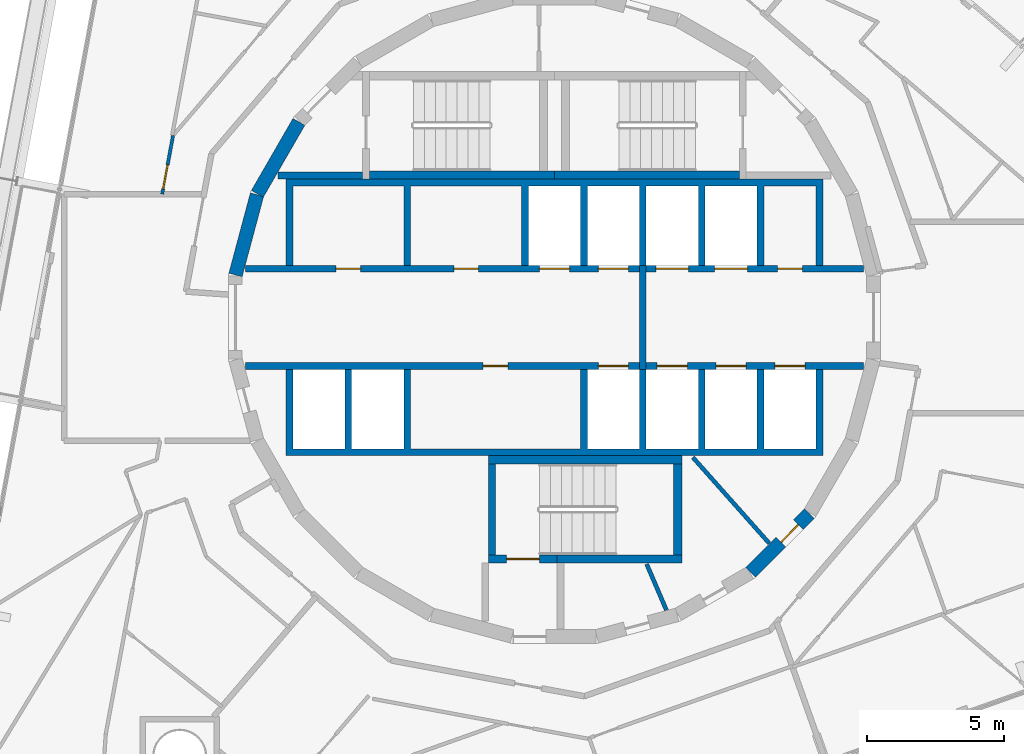
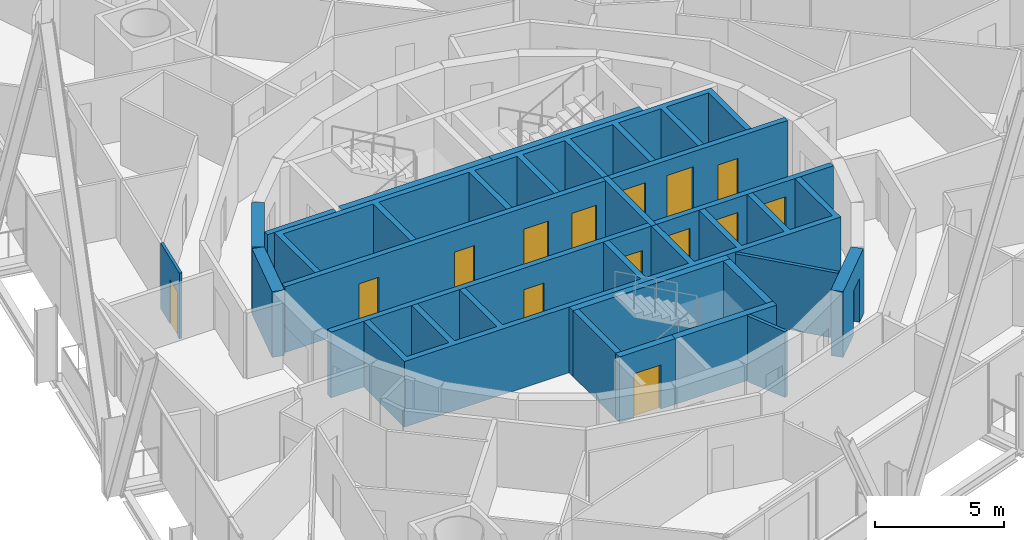
# One storey, part 12 of 17: 21 walls, 15 doors, 15 openings.
"""IFC4 building model written with IfcOpenShell, lengths in metres."""

from ifc_helpers import new_model, si_unit, direction, frame, frame_2d, origin, place, context, subcontext, project, spatial, polyline, rectangle, outline, extrude, material, layer, layer_set, type_object, element, fill, save


model = new_model("IFC4")

# Units and contexts
model_context = context("Model", 3, precision=1e-05, world=origin(), true_north=direction((0.0, 1.0)))
body_context = subcontext(model_context, "Body", "Model", "MODEL_VIEW")
ifc_project = project(units=[si_unit("LENGTHUNIT", "METRE"), si_unit("AREAUNIT", "SQUARE_METRE"), si_unit("VOLUMEUNIT", "CUBIC_METRE"), si_unit("PLANEANGLEUNIT", "RADIAN"), si_unit("MASSUNIT", "GRAM", prefix="KILO")], contexts=[model_context])

# Site, building, storey
site_placement = place(None, origin())
site = spatial("IfcSite", under=ifc_project, at=site_placement, CompositionType="ELEMENT")
building_placement = place(site_placement, origin())
building = spatial("IfcBuilding", under=site, at=building_placement, Name="Spindle Arch Residences", CompositionType="ELEMENT")
storey_placement = place(building_placement, frame((0.0, 0.0, 165.699951171875)))
storey = spatial("IfcBuildingStorey", under=building, at=storey_placement, Name="L41", CompositionType="ELEMENT", Elevation=165.699951171875)

# Wall, opening, door
ifc_material_1 = material(Name="Concrete C50/60", Category="concrete")
ifc_layer_1 = layer(ifc_material_1, 0.5)
ifc_layer_set_1 = layer_set([ifc_layer_1], Name="Core outline wall 500")
wall_type_1 = type_object("IfcWallType", Name="Core outline wall 500", PredefinedType="SHEAR", material=ifc_layer_set_1)
wall_1_placement = place(storey_placement, frame((7.163818359375, -9.30810546875, 0.0), z_axis=(0.0, 0.0, 1.0), x_axis=(0.707106781187, 0.707106781187, 0.0)))
wall_1 = element("IfcWall", 1, at=wall_1_placement, inside=storey, type_object=wall_type_1, Name="Core outline wall 3", PredefinedType="SHEAR", context=body_context, shape_type="SweptSolid", body=[
    extrude(rectangle(XDim=3.032470703125, YDim=0.5, at=frame_2d((1.51611328125, 0.0))), origin(), (0.0, 0.0, 1.0), 3.1201171875),
])
opening_1_placement = place(wall_1_placement, frame((1.56640625, 0.0, 0.0)))
opening_1 = element("IfcOpeningElement", 2, at=opening_1_placement, cuts=wall_1, Name="Opening R4B0-WD06", PredefinedType="OPENING", context=body_context, shape_type="SweptSolid", body=[
    extrude(rectangle(XDim=0.89990234375, YDim=2.10009765625, at=frame_2d((0.449951171875, 1.050048828125))), frame((0.0, 0.260009765625, 0.0), z_axis=(0.0, -1.0, 0.0), x_axis=(1.0, 0.0, 0.0)), (0.0, 0.0, 1.0), 0.52001953125),
])
ifc_material_2 = material(Name="Steel, fire-resisting door", Category="steel")
door_type_1 = type_object("IfcDoorType", Name="Service room door 900x2100", OperationType="SINGLE_SWING_LEFT", PredefinedType="DOOR", material=ifc_material_2)
door_1_placement = place(opening_1_placement, origin())
door_1 = element("IfcDoor", 3, at=door_1_placement, inside=storey, type_object=door_type_1, Name="Service room door R4B0-WD06", OperationType="SINGLE_SWING_RIGHT", OverallHeight=2.10009765625, OverallWidth=0.89990234375, PredefinedType="DOOR", context=body_context, shape_type="SweptSolid", body=[
    extrude(rectangle(XDim=0.89990234375, YDim=2.10009765625, at=frame_2d((0.449951171875, 1.050048828125))), frame((0.0, 0.02490234375, 0.0), z_axis=(0.0, -1.0, 0.0), x_axis=(1.0, 0.0, 0.0)), (0.0, 0.0, 1.0), 0.050048828125),
])
fill(opening_1, door_1)

# Walls
for number, where, z_axis, x_axis, name in (
    (4, (-9.32861328125, 7.13671875, 0.0), (0.0, 0.0, 1.0), (-0.500087131594, -0.865975092491, 0.0), "Core outline wall 16"),
    (5, (-10.858154296875, 4.479248046875, 0.0), (0.0, 0.0, 1.0), (-0.258734743916, -0.965948410781, 0.0), "Core outline wall 17"),
):
    element("IfcWall", number, at=place(storey_placement, frame(where, z_axis=z_axis, x_axis=x_axis)), inside=storey, type_object=wall_type_1, Name=name, PredefinedType="SHEAR", context=body_context, shape_type="SweptSolid", body=[
        extrude(rectangle(XDim=3.03271484375, YDim=0.5, at=frame_2d((1.516357421875, 0.0))), origin(), (0.0, 0.0, 1.0), 3.1201171875),
    ])

# Wall, openings, doors
ifc_material_3 = material(Name="Concrete C40/50", Category="concrete")
ifc_layer_2 = layer(ifc_material_3, 0.25)
ifc_layer_set_2 = layer_set([ifc_layer_2], Name="Fire-lift lobby wall 250")
wall_type_2 = type_object("IfcWallType", Name="Fire-lift lobby wall 250", PredefinedType="SHEAR", material=ifc_layer_set_2)
wall_2_placement = place(storey_placement, frame((3.35009765625, 1.77490234375, 0.0), z_axis=(0.0, 0.0, 1.0), x_axis=(1.0, 0.0, 0.0)))
wall_2 = element("IfcWall", 6, at=wall_2_placement, inside=storey, type_object=wall_type_2, Name="Lift shaft front wall NE", PredefinedType="SHEAR", context=body_context, shape_type="SweptSolid", body=[
    extrude(rectangle(XDim=7.929931640625, YDim=0.25, at=frame_2d((3.96484375, 0.0))), origin(), (0.0, 0.0, 1.0), 3.1201171875),
])
opening_2_placement = place(wall_2_placement, frame((0.35009765625, 0.0, 0.0)))
opening_2 = element("IfcOpeningElement", 7, at=opening_2_placement, cuts=wall_2, Name="Opening R4B0-SLD01", PredefinedType="OPENING", context=body_context, shape_type="SweptSolid", body=[
    extrude(rectangle(XDim=1.199951171875, YDim=2.39990234375, at=frame_2d((0.60009765625, 1.199951171875))), frame((0.0, 0.135009765625, 0.0), z_axis=(0.0, -1.0, 0.0), x_axis=(1.0, 0.0, 0.0)), (0.0, 0.0, 1.0), 0.27001953125),
])
opening_3_placement = place(wall_2_placement, frame((2.5, 0.0, 0.0)))
opening_3 = element("IfcOpeningElement", 8, at=opening_3_placement, cuts=wall_2, Name="Opening R4B0-SLD02", PredefinedType="OPENING", context=body_context, shape_type="SweptSolid", body=[
    extrude(rectangle(XDim=1.199951171875, YDim=2.39990234375, at=frame_2d((0.60009765625, 1.199951171875))), frame((0.0, 0.135009765625, 0.0), z_axis=(0.0, -1.0, 0.0), x_axis=(1.0, 0.0, 0.0)), (0.0, 0.0, 1.0), 0.27001953125),
])
opening_4_placement = place(wall_2_placement, frame((4.800048828125, 0.0, 0.0)))
opening_4 = element("IfcOpeningElement", 9, at=opening_4_placement, cuts=wall_2, Name="Opening R4B0-WD03", PredefinedType="OPENING", context=body_context, shape_type="SweptSolid", body=[
    extrude(rectangle(XDim=0.89990234375, YDim=2.10009765625, at=frame_2d((0.449951171875, 1.050048828125))), frame((0.0, 0.135009765625, 0.0), z_axis=(0.0, -1.0, 0.0), x_axis=(1.0, 0.0, 0.0)), (0.0, 0.0, 1.0), 0.27001953125),
])
ifc_material_4 = material(Name="Steel, fire-resisting landing door", Category="steel")
door_type_2 = type_object("IfcDoorType", Name="Service lift landing door 1200x2400", OperationType="DOUBLE_DOOR_SLIDING", PredefinedType="DOOR", material=ifc_material_4)
door_2_placement = place(opening_2_placement, origin())
door_2 = element("IfcDoor", 10, at=door_2_placement, inside=storey, type_object=door_type_2, Name="Service lift landing door R4B0-SLD01", OperationType="DOUBLE_DOOR_SLIDING", OverallHeight=2.39990234375, OverallWidth=1.199951171875, PredefinedType="DOOR", context=body_context, shape_type="SweptSolid", body=[
    extrude(rectangle(XDim=1.199951171875, YDim=2.39990234375, at=frame_2d((0.60009765625, 1.199951171875))), frame((0.0, 0.02490234375, 0.0), z_axis=(0.0, -1.0, 0.0), x_axis=(1.0, 0.0, 0.0)), (0.0, 0.0, 1.0), 0.050048828125),
])
fill(opening_2, door_2)
door_3_placement = place(opening_3_placement, origin())
door_3 = element("IfcDoor", 11, at=door_3_placement, inside=storey, type_object=door_type_2, Name="Service lift landing door R4B0-SLD02", OperationType="DOUBLE_DOOR_SLIDING", OverallHeight=2.39990234375, OverallWidth=1.199951171875, PredefinedType="DOOR", context=body_context, shape_type="SweptSolid", body=[
    extrude(rectangle(XDim=1.199951171875, YDim=2.39990234375, at=frame_2d((0.60009765625, 1.199951171875))), frame((0.0, 0.02490234375, 0.0), z_axis=(0.0, -1.0, 0.0), x_axis=(1.0, 0.0, 0.0)), (0.0, 0.0, 1.0), 0.050048828125),
])
fill(opening_3, door_3)
door_4_placement = place(opening_4_placement, origin())
door_4 = element("IfcDoor", 12, at=door_4_placement, inside=storey, type_object=door_type_1, Name="Service room door R4B0-WD03", OperationType="SINGLE_SWING_LEFT", OverallHeight=2.10009765625, OverallWidth=0.89990234375, PredefinedType="DOOR", context=body_context, shape_type="SweptSolid", body=[
    extrude(rectangle(XDim=0.89990234375, YDim=2.10009765625, at=frame_2d((0.449951171875, 1.050048828125))), frame((0.0, 0.02490234375, 0.0), z_axis=(0.0, -1.0, 0.0), x_axis=(1.0, 0.0, 0.0)), (0.0, 0.0, 1.0), 0.050048828125),
])
fill(opening_4, door_4)

# Wall
wall_3_placement = place(storey_placement, frame((3.22509765625, -1.89990234375, 0.0), z_axis=(0.0, 0.0, 1.0), x_axis=(0.0, 1.0, 0.0)))
element("IfcWall", 13, at=wall_3_placement, inside=storey, type_object=wall_type_2, Name="Fire-fighting lobby partition", PredefinedType="SHEAR", context=body_context, shape_type="SweptSolid", body=[
    extrude(rectangle(XDim=3.7998046875, YDim=0.25, at=frame_2d((1.89990234375, 0.0))), origin(), (0.0, 0.0, 1.0), 3.1201171875),
])

# Wall, openings, doors
ifc_material_5 = material(Name="Concrete C50/60", Category="concrete")
ifc_layer_3 = layer(ifc_material_5, 0.25)
ifc_layer_set_3 = layer_set([ifc_layer_3], Name="Fire-lift shaft wall 250")
wall_type_3 = type_object("IfcWallType", Name="Fire-lift shaft wall 250", PredefinedType="SHEAR", material=ifc_layer_set_3)
wall_4_placement = place(storey_placement, frame((3.35009765625, -1.77490234375, 0.0), z_axis=(0.0, 0.0, 1.0), x_axis=(1.0, 0.0, 0.0)))
wall_4 = element("IfcWall", 14, at=wall_4_placement, inside=storey, type_object=wall_type_3, Name="Lift shaft front wall SE", PredefinedType="SHEAR", context=body_context, shape_type="SweptSolid", body=[
    extrude(rectangle(XDim=7.929931640625, YDim=0.25, at=frame_2d((3.96484375, 0.0))), origin(), (0.0, 0.0, 1.0), 3.1201171875),
])
opening_5_placement = place(wall_4_placement, frame((0.39990234375, 0.0, 0.0)))
opening_5 = element("IfcOpeningElement", 15, at=opening_5_placement, cuts=wall_4, Name="Opening R4B0-FLD01", PredefinedType="OPENING", context=body_context, shape_type="SweptSolid", body=[
    extrude(rectangle(XDim=1.10009765625, YDim=2.39990234375, at=frame_2d((0.550048828125, 1.199951171875))), frame((0.0, 0.135009765625, 0.0), z_axis=(0.0, -1.0, 0.0), x_axis=(1.0, 0.0, 0.0)), (0.0, 0.0, 1.0), 0.27001953125),
])
opening_6_placement = place(wall_4_placement, frame((2.550048828125, 0.0, 0.0)))
opening_6 = element("IfcOpeningElement", 16, at=opening_6_placement, cuts=wall_4, Name="Opening R4B0-FLD02", PredefinedType="OPENING", context=body_context, shape_type="SweptSolid", body=[
    extrude(rectangle(XDim=1.10009765625, YDim=2.39990234375, at=frame_2d((0.550048828125, 1.199951171875))), frame((0.0, 0.135009765625, 0.0), z_axis=(0.0, -1.0, 0.0), x_axis=(1.0, 0.0, 0.0)), (0.0, 0.0, 1.0), 0.27001953125),
])
opening_7_placement = place(wall_4_placement, frame((4.699951171875, 0.0, 0.0)))
opening_7 = element("IfcOpeningElement", 17, at=opening_7_placement, cuts=wall_4, Name="Opening R4B0-FLD03", PredefinedType="OPENING", context=body_context, shape_type="SweptSolid", body=[
    extrude(rectangle(XDim=1.10009765625, YDim=2.39990234375, at=frame_2d((0.550048828125, 1.199951171875))), frame((0.0, 0.135009765625, 0.0), z_axis=(0.0, -1.0, 0.0), x_axis=(1.0, 0.0, 0.0)), (0.0, 0.0, 1.0), 0.27001953125),
])
ifc_material_6 = material(Name="Steel, fire-resisting landing door", Category="steel")
door_type_3 = type_object("IfcDoorType", Name="Fire-fighting lift landing door 1100x2400", OperationType="DOUBLE_DOOR_SLIDING", PredefinedType="DOOR", material=ifc_material_6)
door_5_placement = place(opening_5_placement, origin())
door_5 = element("IfcDoor", 18, at=door_5_placement, inside=storey, type_object=door_type_3, Name="Fire-fighting lift landing door R4B0-FLD01", OperationType="DOUBLE_DOOR_SLIDING", OverallHeight=2.39990234375, OverallWidth=1.10009765625, PredefinedType="DOOR", context=body_context, shape_type="SweptSolid", body=[
    extrude(rectangle(XDim=1.10009765625, YDim=2.39990234375, at=frame_2d((0.550048828125, 1.199951171875))), frame((0.0, 0.02490234375, 0.0), z_axis=(0.0, -1.0, 0.0), x_axis=(1.0, 0.0, 0.0)), (0.0, 0.0, 1.0), 0.050048828125),
])
fill(opening_5, door_5)
door_6_placement = place(opening_6_placement, origin())
door_6 = element("IfcDoor", 19, at=door_6_placement, inside=storey, type_object=door_type_3, Name="Fire-fighting lift landing door R4B0-FLD02", OperationType="DOUBLE_DOOR_SLIDING", OverallHeight=2.39990234375, OverallWidth=1.10009765625, PredefinedType="DOOR", context=body_context, shape_type="SweptSolid", body=[
    extrude(rectangle(XDim=1.10009765625, YDim=2.39990234375, at=frame_2d((0.550048828125, 1.199951171875))), frame((0.0, 0.02490234375, 0.0), z_axis=(0.0, -1.0, 0.0), x_axis=(1.0, 0.0, 0.0)), (0.0, 0.0, 1.0), 0.050048828125),
])
fill(opening_6, door_6)
door_7_placement = place(opening_7_placement, origin())
door_7 = element("IfcDoor", 20, at=door_7_placement, inside=storey, type_object=door_type_3, Name="Fire-fighting lift landing door R4B0-FLD03", OperationType="DOUBLE_DOOR_SLIDING", OverallHeight=2.39990234375, OverallWidth=1.10009765625, PredefinedType="DOOR", context=body_context, shape_type="SweptSolid", body=[
    extrude(rectangle(XDim=1.10009765625, YDim=2.39990234375, at=frame_2d((0.550048828125, 1.199951171875))), frame((0.0, 0.02490234375, 0.0), z_axis=(0.0, -1.0, 0.0), x_axis=(1.0, 0.0, 0.0)), (0.0, 0.0, 1.0), 0.050048828125),
])
fill(opening_7, door_7)

# Wall, opening, door
ifc_material_7 = material(Name="Plasterboard on steel studs", Category="steel")
ifc_layer_4 = layer(ifc_material_7, 0.1201171875)
ifc_layer_set_4 = layer_set([ifc_layer_4], Name="Flat partition 120")
wall_type_4 = type_object("IfcWallType", Name="Flat partition 120", PredefinedType="PARTITIONING", material=ifc_layer_set_4)
wall_5_placement = place(storey_placement, frame((-13.9228515625, 6.640869140625, 0.0), z_axis=(0.0, 0.0, 1.0), x_axis=(-0.182209715759, -0.983259690765, 0.0)))
wall_5 = element("IfcWall", 21, at=wall_5_placement, inside=storey, type_object=wall_type_4, Name="Flat partition R4B0-W072", PredefinedType="PARTITIONING", context=body_context, shape_type="SweptSolid", body=[
    extrude(rectangle(XDim=2.17724609375, YDim=0.1201171875, at=frame_2d((1.088623046875, 0.0))), origin(), (0.0, 0.0, 1.0), 3.1201171875),
])
opening_8_placement = place(wall_5_placement, frame((1.08349609375, 0.0, 0.0)))
opening_8 = element("IfcOpeningElement", 22, at=opening_8_placement, cuts=wall_5, Name="Opening R4B0-ID13", PredefinedType="OPENING", context=body_context, shape_type="SweptSolid", body=[
    extrude(rectangle(XDim=0.89990234375, YDim=2.10009765625, at=frame_2d((0.449951171875, 1.050048828125))), frame((0.0, 0.070068359375, 0.0), z_axis=(0.0, -1.0, 0.0), x_axis=(1.0, 0.0, 0.0)), (0.0, 0.0, 1.0), 0.14013671875),
])
ifc_material_8 = material(Name="Timber door set", Category="wood")
door_type_4 = type_object("IfcDoorType", Name="Room door 900x2100", OperationType="NOTDEFINED", PredefinedType="DOOR", material=ifc_material_8)
door_8_placement = place(opening_8_placement, origin())
door_8 = element("IfcDoor", 23, at=door_8_placement, inside=storey, type_object=door_type_4, Name="Room door R4B0-ID13", OperationType="SINGLE_SWING_LEFT", OverallHeight=2.10009765625, OverallWidth=0.89990234375, PredefinedType="DOOR", context=body_context, shape_type="SweptSolid", body=[
    extrude(rectangle(XDim=0.89990234375, YDim=2.10009765625, at=frame_2d((0.449951171875, 1.050048828125))), frame((0.0, 0.02490234375, 0.0), z_axis=(0.0, -1.0, 0.0), x_axis=(1.0, 0.0, 0.0)), (0.0, 0.0, 1.0), 0.050048828125),
])
fill(opening_8, door_8)

# Wall, openings, doors
ifc_material_9 = material(Name="Concrete C50/60", Category="concrete")
ifc_layer_5 = layer(ifc_material_9, 0.25)
ifc_layer_set_5 = layer_set([ifc_layer_5], Name="Lift shaft wall 250")
wall_type_5 = type_object("IfcWallType", Name="Lift shaft wall 250", PredefinedType="SHEAR", material=ifc_layer_set_5)
wall_6_placement = place(storey_placement, frame((-11.280029296875, 1.77490234375, 0.0), z_axis=(0.0, 0.0, 1.0), x_axis=(1.0, 0.0, 0.0)))
wall_6 = element("IfcWall", 24, at=wall_6_placement, inside=storey, type_object=wall_type_5, Name="Lift shaft front wall NW", PredefinedType="SHEAR", context=body_context, shape_type="SweptSolid", body=[
    extrude(rectangle(XDim=14.380126953125, YDim=0.25, at=frame_2d((7.18994140625, 0.0))), origin(), (0.0, 0.0, 1.0), 3.1201171875),
])
opening_9_placement = place(wall_6_placement, frame((10.72998046875, 0.0, 0.0)))
opening_9 = element("IfcOpeningElement", 25, at=opening_9_placement, cuts=wall_6, Name="Opening R4B0-LD01", PredefinedType="OPENING", context=body_context, shape_type="SweptSolid", body=[
    extrude(rectangle(XDim=1.10009765625, YDim=2.10009765625, at=frame_2d((0.550048828125, 1.050048828125))), frame((0.0, 0.135009765625, 0.0), z_axis=(0.0, -1.0, 0.0), x_axis=(1.0, 0.0, 0.0)), (0.0, 0.0, 1.0), 0.27001953125),
])
opening_10_placement = place(wall_6_placement, frame((12.8798828125, 0.0, 0.0)))
opening_10 = element("IfcOpeningElement", 26, at=opening_10_placement, cuts=wall_6, Name="Opening R4B0-LD02", PredefinedType="OPENING", context=body_context, shape_type="SweptSolid", body=[
    extrude(rectangle(XDim=1.10009765625, YDim=2.10009765625, at=frame_2d((0.550048828125, 1.050048828125))), frame((0.0, 0.135009765625, 0.0), z_axis=(0.0, -1.0, 0.0), x_axis=(1.0, 0.0, 0.0)), (0.0, 0.0, 1.0), 0.27001953125),
])
opening_11_placement = place(wall_6_placement, frame((3.304931640625, 0.0, 0.0)))
opening_11 = element("IfcOpeningElement", 27, at=opening_11_placement, cuts=wall_6, Name="Opening R4B0-WD01", PredefinedType="OPENING", context=body_context, shape_type="SweptSolid", body=[
    extrude(rectangle(XDim=0.89990234375, YDim=2.10009765625, at=frame_2d((0.449951171875, 1.050048828125))), frame((0.0, 0.135009765625, 0.0), z_axis=(0.0, -1.0, 0.0), x_axis=(1.0, 0.0, 0.0)), (0.0, 0.0, 1.0), 0.27001953125),
])
opening_12_placement = place(wall_6_placement, frame((7.60498046875, 0.0, 0.0)))
opening_12 = element("IfcOpeningElement", 28, at=opening_12_placement, cuts=wall_6, Name="Opening R4B0-WD02", PredefinedType="OPENING", context=body_context, shape_type="SweptSolid", body=[
    extrude(rectangle(XDim=0.89990234375, YDim=2.10009765625, at=frame_2d((0.449951171875, 1.050048828125))), frame((0.0, 0.135009765625, 0.0), z_axis=(0.0, -1.0, 0.0), x_axis=(1.0, 0.0, 0.0)), (0.0, 0.0, 1.0), 0.27001953125),
])
ifc_material_10 = material(Name="Steel, fire-resisting landing door", Category="steel")
door_type_5 = type_object("IfcDoorType", Name="Lift landing door 1100x2100", OperationType="DOUBLE_DOOR_SLIDING", PredefinedType="DOOR", material=ifc_material_10)
door_9_placement = place(opening_9_placement, origin())
door_9 = element("IfcDoor", 29, at=door_9_placement, inside=storey, type_object=door_type_5, Name="Lift landing door R4B0-LD01", OperationType="DOUBLE_DOOR_SLIDING", OverallHeight=2.10009765625, OverallWidth=1.10009765625, PredefinedType="DOOR", context=body_context, shape_type="SweptSolid", body=[
    extrude(rectangle(XDim=1.10009765625, YDim=2.10009765625, at=frame_2d((0.550048828125, 1.050048828125))), frame((0.0, 0.02490234375, 0.0), z_axis=(0.0, -1.0, 0.0), x_axis=(1.0, 0.0, 0.0)), (0.0, 0.0, 1.0), 0.050048828125),
])
fill(opening_9, door_9)
door_10_placement = place(opening_10_placement, origin())
door_10 = element("IfcDoor", 30, at=door_10_placement, inside=storey, type_object=door_type_5, Name="Lift landing door R4B0-LD02", OperationType="DOUBLE_DOOR_SLIDING", OverallHeight=2.10009765625, OverallWidth=1.10009765625, PredefinedType="DOOR", context=body_context, shape_type="SweptSolid", body=[
    extrude(rectangle(XDim=1.10009765625, YDim=2.10009765625, at=frame_2d((0.550048828125, 1.050048828125))), frame((0.0, 0.02490234375, 0.0), z_axis=(0.0, -1.0, 0.0), x_axis=(1.0, 0.0, 0.0)), (0.0, 0.0, 1.0), 0.050048828125),
])
fill(opening_10, door_10)
door_11_placement = place(opening_11_placement, origin())
door_11 = element("IfcDoor", 31, at=door_11_placement, inside=storey, type_object=door_type_1, Name="Service room door R4B0-WD01", OperationType="SINGLE_SWING_LEFT", OverallHeight=2.10009765625, OverallWidth=0.89990234375, PredefinedType="DOOR", context=body_context, shape_type="SweptSolid", body=[
    extrude(rectangle(XDim=0.89990234375, YDim=2.10009765625, at=frame_2d((0.449951171875, 1.050048828125))), frame((0.0, 0.02490234375, 0.0), z_axis=(0.0, -1.0, 0.0), x_axis=(1.0, 0.0, 0.0)), (0.0, 0.0, 1.0), 0.050048828125),
])
fill(opening_11, door_11)
door_12_placement = place(opening_12_placement, origin())
door_12 = element("IfcDoor", 32, at=door_12_placement, inside=storey, type_object=door_type_1, Name="Service room door R4B0-WD02", OperationType="SINGLE_SWING_RIGHT", OverallHeight=2.10009765625, OverallWidth=0.89990234375, PredefinedType="DOOR", context=body_context, shape_type="SweptSolid", body=[
    extrude(rectangle(XDim=0.89990234375, YDim=2.10009765625, at=frame_2d((0.449951171875, 1.050048828125))), frame((0.0, 0.02490234375, 0.0), z_axis=(0.0, -1.0, 0.0), x_axis=(1.0, 0.0, 0.0)), (0.0, 0.0, 1.0), 0.050048828125),
])
fill(opening_12, door_12)

wall_7_placement = place(storey_placement, frame((-11.280029296875, -1.77490234375, 0.0), z_axis=(0.0, 0.0, 1.0), x_axis=(1.0, 0.0, 0.0)))
wall_7 = element("IfcWall", 33, at=wall_7_placement, inside=storey, type_object=wall_type_5, Name="Lift shaft front wall SW", PredefinedType="SHEAR", context=body_context, shape_type="SweptSolid", body=[
    extrude(rectangle(XDim=14.380126953125, YDim=0.25, at=frame_2d((7.18994140625, 0.0))), origin(), (0.0, 0.0, 1.0), 3.1201171875),
])
opening_13_placement = place(wall_7_placement, frame((12.8798828125, 0.0, 0.0)))
opening_13 = element("IfcOpeningElement", 34, at=opening_13_placement, cuts=wall_7, Name="Opening R4B0-LD03", PredefinedType="OPENING", context=body_context, shape_type="SweptSolid", body=[
    extrude(rectangle(XDim=1.10009765625, YDim=2.10009765625, at=frame_2d((0.550048828125, 1.050048828125))), frame((0.0, 0.135009765625, 0.0), z_axis=(0.0, -1.0, 0.0), x_axis=(1.0, 0.0, 0.0)), (0.0, 0.0, 1.0), 0.27001953125),
])
opening_14_placement = place(wall_7_placement, frame((8.679931640625, 0.0, 0.0)))
opening_14 = element("IfcOpeningElement", 35, at=opening_14_placement, cuts=wall_7, Name="Opening R4B0-WD04", PredefinedType="OPENING", context=body_context, shape_type="SweptSolid", body=[
    extrude(rectangle(XDim=0.89990234375, YDim=2.10009765625, at=frame_2d((0.449951171875, 1.050048828125))), frame((0.0, 0.135009765625, 0.0), z_axis=(0.0, -1.0, 0.0), x_axis=(1.0, 0.0, 0.0)), (0.0, 0.0, 1.0), 0.27001953125),
])
door_13_placement = place(opening_13_placement, origin())
door_13 = element("IfcDoor", 36, at=door_13_placement, inside=storey, type_object=door_type_5, Name="Lift landing door R4B0-LD03", OperationType="DOUBLE_DOOR_SLIDING", OverallHeight=2.10009765625, OverallWidth=1.10009765625, PredefinedType="DOOR", context=body_context, shape_type="SweptSolid", body=[
    extrude(rectangle(XDim=1.10009765625, YDim=2.10009765625, at=frame_2d((0.550048828125, 1.050048828125))), frame((0.0, 0.02490234375, 0.0), z_axis=(0.0, -1.0, 0.0), x_axis=(1.0, 0.0, 0.0)), (0.0, 0.0, 1.0), 0.050048828125),
])
fill(opening_13, door_13)
door_14_placement = place(opening_14_placement, origin())
door_14 = element("IfcDoor", 37, at=door_14_placement, inside=storey, type_object=door_type_1, Name="Service room door R4B0-WD04", OperationType="SINGLE_SWING_RIGHT", OverallHeight=2.10009765625, OverallWidth=0.89990234375, PredefinedType="DOOR", context=body_context, shape_type="SweptSolid", body=[
    extrude(rectangle(XDim=0.89990234375, YDim=2.10009765625, at=frame_2d((0.449951171875, 1.050048828125))), frame((0.0, 0.02490234375, 0.0), z_axis=(0.0, -1.0, 0.0), x_axis=(1.0, 0.0, 0.0)), (0.0, 0.0, 1.0), 0.050048828125),
])
fill(opening_14, door_14)

# Walls
ifc_material_11 = material(Name="Concrete C50/60", Category="concrete")
wall_type_6 = type_object("IfcWallType", Name="Lift shaft wall profile", PredefinedType="SHEAR", material=ifc_material_11)
wall_8_placement = place(storey_placement, origin())
element("IfcWall", 38, at=wall_8_placement, inside=storey, type_object=wall_type_6, Name="Lift shaft walls N", PredefinedType="SHEAR", context=body_context, shape_type="SweptSolid", body=[
    extrude(outline(polyline([(-9.550048828125, 4.800048828125), (-5.5, 4.800048828125), (-5.5, 1.89990234375), (-5.25, 1.89990234375), (-5.25, 4.800048828125), (-1.199951171875, 4.800048828125), (-1.199951171875, 1.89990234375), (-0.949951171875, 1.89990234375), (-0.949951171875, 4.800048828125), (0.949951171875, 4.800048828125), (0.949951171875, 1.89990234375), (1.199951171875, 1.89990234375), (1.199951171875, 4.800048828125), (3.10009765625, 4.800048828125), (3.10009765625, 1.89990234375), (3.35009765625, 1.89990234375), (3.35009765625, 4.800048828125), (5.25, 4.800048828125), (5.25, 1.89990234375), (5.5, 1.89990234375), (5.5, 4.800048828125), (7.39990234375, 4.800048828125), (7.39990234375, 1.89990234375), (7.64990234375, 1.89990234375), (7.64990234375, 4.800048828125), (9.550048828125, 4.800048828125), (9.550048828125, 1.89990234375), (9.800048828125, 1.89990234375), (9.800048828125, 4.800048828125), (9.800048828125, 5.050048828125), (-9.800048828125, 5.050048828125), (-9.800048828125, 4.800048828125), (-9.800048828125, 1.89990234375), (-9.550048828125, 1.89990234375), (-9.550048828125, 4.800048828125)])), origin(), (0.0, 0.0, 1.0), 3.1201171875),
])
wall_9_placement = place(storey_placement, origin())
element("IfcWall", 39, at=wall_9_placement, inside=storey, type_object=wall_type_6, Name="Lift shaft walls S", PredefinedType="SHEAR", context=body_context, shape_type="SweptSolid", body=[
    extrude(outline(polyline([(9.800048828125, -5.050048828125), (9.800048828125, -4.800048828125), (9.800048828125, -1.89990234375), (9.550048828125, -1.89990234375), (9.550048828125, -4.800048828125), (7.64990234375, -4.800048828125), (7.64990234375, -1.89990234375), (7.39990234375, -1.89990234375), (7.39990234375, -4.800048828125), (5.5, -4.800048828125), (5.5, -1.89990234375), (5.25, -1.89990234375), (5.25, -4.800048828125), (3.35009765625, -4.800048828125), (3.35009765625, -1.89990234375), (3.10009765625, -1.89990234375), (3.10009765625, -4.800048828125), (1.199951171875, -4.800048828125), (1.199951171875, -1.89990234375), (0.949951171875, -1.89990234375), (0.949951171875, -4.800048828125), (-5.25, -4.800048828125), (-5.25, -1.89990234375), (-5.5, -1.89990234375), (-5.5, -4.800048828125), (-7.39990234375, -4.800048828125), (-7.39990234375, -1.89990234375), (-7.64990234375, -1.89990234375), (-7.64990234375, -4.800048828125), (-9.550048828125, -4.800048828125), (-9.550048828125, -1.89990234375), (-9.800048828125, -1.89990234375), (-9.800048828125, -4.800048828125), (-9.800048828125, -5.050048828125), (9.800048828125, -5.050048828125)])), origin(), (0.0, 0.0, 1.0), 3.1201171875),
])
ifc_material_12 = material(Name="Concrete C25/30", Category="concrete")
ifc_layer_6 = layer(ifc_material_12, 0.14990234375)
ifc_layer_set_6 = layer_set([ifc_layer_6], Name="Service room partition 150")
wall_type_7 = type_object("IfcWallType", Name="Service room partition 150", PredefinedType="PARTITIONING", material=ifc_layer_set_6)
wall_10_placement = place(storey_placement, frame((7.84228515625, -8.24755859375, 0.0), z_axis=(0.0, 0.0, 1.0), x_axis=(-0.66446128181, 0.747322691329, 0.0)))
element("IfcWall", 40, at=wall_10_placement, inside=storey, type_object=wall_type_7, Name="Core service room partition", PredefinedType="PARTITIONING", context=body_context, shape_type="SweptSolid", body=[
    extrude(rectangle(XDim=4.198486328125, YDim=0.14990234375, at=frame_2d((2.09912109375, 0.0))), origin(), (0.0, 0.0, 1.0), 3.1201171875),
])
wall_11_placement = place(storey_placement, frame((3.366943359375, -9.0068359375, 0.0), z_axis=(0.0, 0.0, 1.0), x_axis=(0.394387482265, -0.918944238696, 0.0)))
element("IfcWall", 41, at=wall_11_placement, inside=storey, type_object=wall_type_7, Name="Core service room partition", PredefinedType="PARTITIONING", context=body_context, shape_type="SweptSolid", body=[
    extrude(rectangle(XDim=1.824951171875, YDim=0.14990234375, at=frame_2d((0.91259765625, 0.0))), origin(), (0.0, 0.0, 1.0), 3.1201171875),
])
ifc_material_13 = material(Name="Concrete C40/50", Category="concrete")
ifc_layer_7 = layer(ifc_material_13, 0.25)
ifc_layer_set_7 = layer_set([ifc_layer_7], Name="Stair airlock wall 250")
wall_type_8 = type_object("IfcWallType", Name="Stair airlock wall 250", PredefinedType="SHEAR", material=ifc_layer_set_7)
wall_12_placement = place(storey_placement, frame((-7.0, 5.175048828125, 0.0), z_axis=(0.0, 0.0, 1.0), x_axis=(-1.0, 0.0, 0.0)))
element("IfcWall", 42, at=wall_12_placement, inside=storey, type_object=wall_type_8, Name="Stair ST-2 airlock wall S", PredefinedType="SHEAR", context=body_context, shape_type="SweptSolid", body=[
    extrude(rectangle(XDim=3.10009765625, YDim=0.25, at=frame_2d((1.550048828125, 0.0))), origin(), (0.0, 0.0, 1.0), 3.1201171875),
])
ifc_material_14 = material(Name="Concrete C50/60", Category="concrete")
ifc_layer_8 = layer(ifc_material_14, 0.25)
ifc_layer_set_8 = layer_set([ifc_layer_8], Name="Stair enclosure wall 250")
wall_type_9 = type_object("IfcWallType", Name="Stair enclosure wall 250", PredefinedType="SHEAR", material=ifc_layer_set_8)
wall_13_placement = place(storey_placement, frame((-2.27490234375, -8.669921875, 0.0), z_axis=(0.0, 0.0, 1.0), x_axis=(0.0, 1.0, 0.0)))
element("IfcWall", 43, at=wall_13_placement, inside=storey, type_object=wall_type_9, Name="Stair ST-3 enclosure wall W", PredefinedType="SHEAR", context=body_context, shape_type="SweptSolid", body=[
    extrude(rectangle(XDim=3.31982421875, YDim=0.25, at=frame_2d((1.659912109375, 0.0))), origin(), (0.0, 0.0, 1.0), 3.1201171875),
])
ifc_material_15 = material(Name="Concrete C50/60", Category="concrete")
ifc_layer_9 = layer(ifc_material_15, 0.300048828125)
ifc_layer_set_9 = layer_set([ifc_layer_9], Name="Stair enclosure wall 300")
wall_type_10 = type_object("IfcWallType", Name="Stair enclosure wall 300", PredefinedType="SHEAR", material=ifc_layer_set_9)
for number, where, z_axis, x_axis, name in (
    (44, (0.0, 5.199951171875, 0.0), (0.0, 0.0, 1.0), (1.0, 0.0, 0.0), "Stair ST-1 enclosure wall S"),
    (45, (-6.75, 5.199951171875, 0.0), (0.0, 0.0, 1.0), (1.0, 0.0, 0.0), "Stair ST-2 enclosure wall S"),
):
    element("IfcWall", number, at=place(storey_placement, frame(where, z_axis=z_axis, x_axis=x_axis)), inside=storey, type_object=wall_type_10, Name=name, PredefinedType="SHEAR", context=body_context, shape_type="SweptSolid", body=[
        extrude(rectangle(XDim=6.75, YDim=0.300048828125, at=frame_2d((3.375, 0.0))), origin(), (0.0, 0.0, 1.0), 3.1201171875),
    ])
wall_14_placement = place(storey_placement, frame((-2.39990234375, -5.199951171875, 0.0), z_axis=(0.0, 0.0, 1.0), x_axis=(1.0, 0.0, 0.0)))
element("IfcWall", 46, at=wall_14_placement, inside=storey, type_object=wall_type_10, Name="Stair ST-3 enclosure wall N", PredefinedType="SHEAR", context=body_context, shape_type="SweptSolid", body=[
    extrude(rectangle(XDim=7.0498046875, YDim=0.300048828125, at=frame_2d((3.52490234375, 0.0))), origin(), (0.0, 0.0, 1.0), 3.1201171875),
])
wall_15_placement = place(storey_placement, frame((4.5, -8.669921875, 0.0), z_axis=(0.0, 0.0, 1.0), x_axis=(0.0, 1.0, 0.0)))
element("IfcWall", 47, at=wall_15_placement, inside=storey, type_object=wall_type_10, Name="Stair ST-3 enclosure wall E", PredefinedType="SHEAR", context=body_context, shape_type="SweptSolid", body=[
    extrude(rectangle(XDim=3.31982421875, YDim=0.300048828125, at=frame_2d((1.659912109375, 0.0))), origin(), (0.0, 0.0, 1.0), 3.1201171875),
])
wall_16_placement = place(storey_placement, frame((0.10009765625, -8.820068359375, 0.0), z_axis=(0.0, 0.0, 1.0), x_axis=(1.0, 0.0, 0.0)))
element("IfcWall", 48, at=wall_16_placement, inside=storey, type_object=wall_type_10, Name="Stair ST-3 enclosure wall S", PredefinedType="SHEAR", context=body_context, shape_type="SweptSolid", body=[
    extrude(rectangle(XDim=4.5498046875, YDim=0.300048828125, at=frame_2d((2.27490234375, 0.0))), origin(), (0.0, 0.0, 1.0), 3.1201171875),
])

# Wall, opening, door
wall_17_placement = place(storey_placement, frame((-2.39990234375, -8.820068359375, 0.0), z_axis=(0.0, 0.0, 1.0), x_axis=(1.0, 0.0, 0.0)))
wall_17 = element("IfcWall", 49, at=wall_17_placement, inside=storey, type_object=wall_type_10, Name="Stair ST-3 door wall", PredefinedType="SHEAR", context=body_context, shape_type="SweptSolid", body=[
    extrude(rectangle(XDim=2.5, YDim=0.300048828125, at=frame_2d((1.25, 0.0))), origin(), (0.0, 0.0, 1.0), 3.1201171875),
])
opening_15_placement = place(wall_17_placement, frame((0.64990234375, 0.0, 0.0)))
opening_15 = element("IfcOpeningElement", 50, at=opening_15_placement, cuts=wall_17, Name="Opening R4B0-SD03", PredefinedType="OPENING", context=body_context, shape_type="SweptSolid", body=[
    extrude(rectangle(XDim=1.199951171875, YDim=2.10009765625, at=frame_2d((0.60009765625, 1.050048828125))), frame((0.0, 0.16015625, 0.0), z_axis=(0.0, -1.0, 0.0), x_axis=(1.0, 0.0, 0.0)), (0.0, 0.0, 1.0), 0.320068359375),
])
ifc_material_16 = material(Name="Steel, fire-resisting door", Category="steel")
door_type_6 = type_object("IfcDoorType", Name="Stair door 1200x2100", OperationType="SINGLE_SWING_RIGHT", PredefinedType="DOOR", material=ifc_material_16)
door_15_placement = place(opening_15_placement, origin())
door_15 = element("IfcDoor", 51, at=door_15_placement, inside=storey, type_object=door_type_6, Name="Stair door R4B0-SD03", OperationType="SINGLE_SWING_LEFT", OverallHeight=2.10009765625, OverallWidth=1.199951171875, PredefinedType="DOOR", context=body_context, shape_type="SweptSolid", body=[
    extrude(rectangle(XDim=1.199951171875, YDim=2.10009765625, at=frame_2d((0.60009765625, 1.050048828125))), frame((0.0, 0.02490234375, 0.0), z_axis=(0.0, -1.0, 0.0), x_axis=(1.0, 0.0, 0.0)), (0.0, 0.0, 1.0), 0.050048828125),
])
fill(opening_15, door_15)

save(model, "model.ifc")
